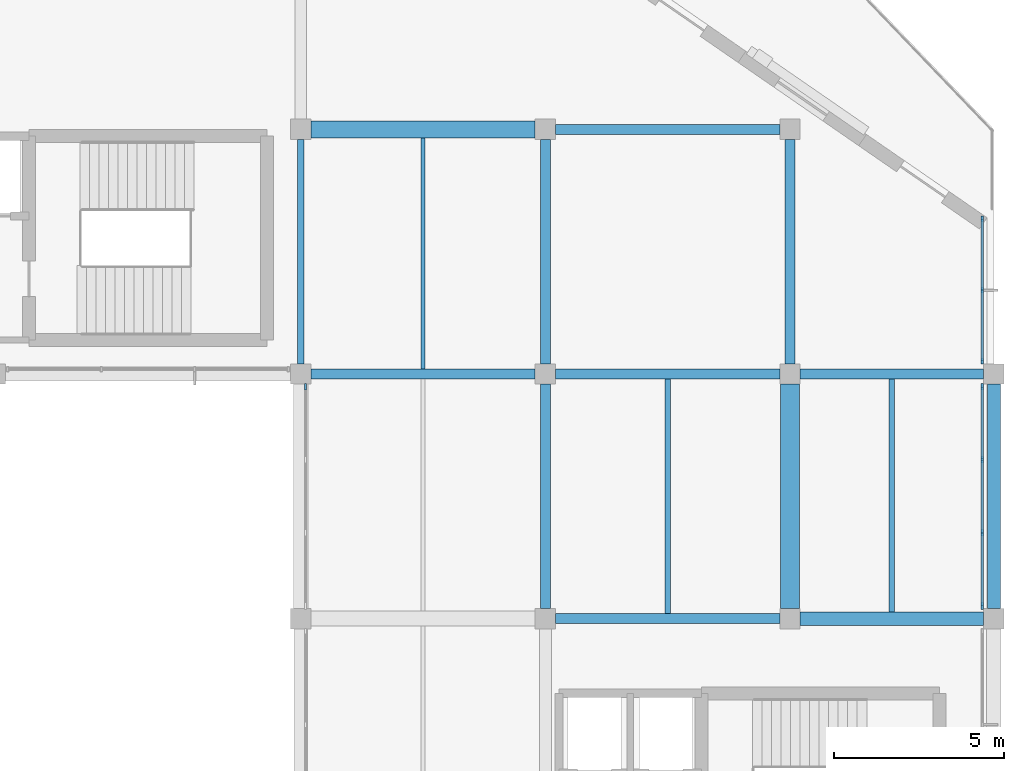
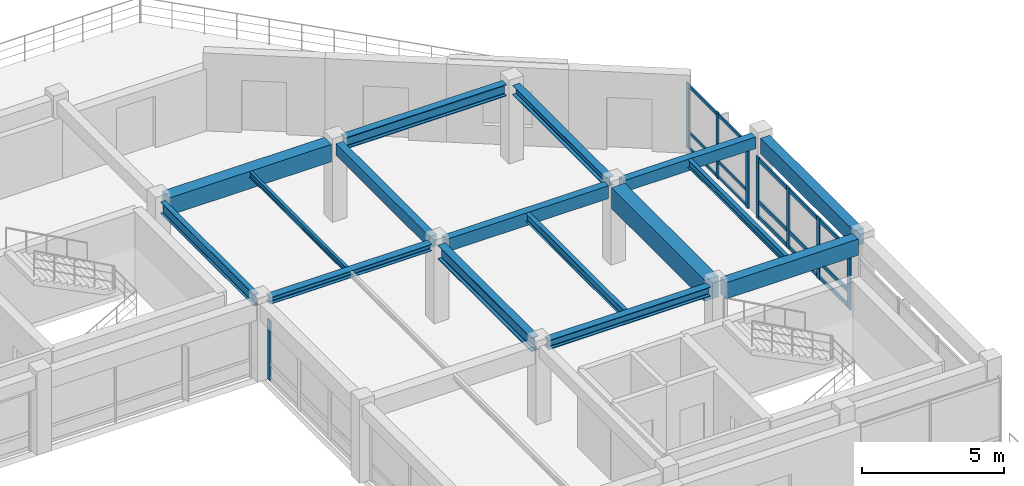
# One storey, part 5 of 12: 23 members, 16 beams, 3 elements without a shape of their own.
"""IFC4 building model written with IfcOpenShell, lengths in metres."""

from ifc_helpers import new_model, si_unit, direction, frame, origin, origin_2d, place, context, subcontext, project, spatial, rectangle, i_section, extrude, material, material_profile, profile_set, type_object, element, aggregate, save


model = new_model("IFC4")

# Units and contexts
model_context = context("Model", 3, precision=1e-05, world=origin(), true_north=direction((0.0, 1.0)))
body_context = subcontext(model_context, "Body", "Model", "MODEL_VIEW")
ifc_project = project(units=[si_unit("LENGTHUNIT", "METRE"), si_unit("AREAUNIT", "SQUARE_METRE"), si_unit("VOLUMEUNIT", "CUBIC_METRE"), si_unit("PLANEANGLEUNIT", "RADIAN"), si_unit("MASSUNIT", "GRAM", prefix="KILO")], contexts=[model_context])

# Site, building, storey
site_placement = place(None, origin())
site = spatial("IfcSite", under=ifc_project, at=site_placement, CompositionType="ELEMENT")
building_placement = place(site_placement, origin())
building = spatial("IfcBuilding", under=site, at=building_placement, Name="Clarverna Civic Hall", CompositionType="ELEMENT")
storey_placement = place(building_placement, frame((0.0, 0.0, 24.0)))
storey = spatial("IfcBuildingStorey", under=building, at=storey_placement, Name="L06", CompositionType="ELEMENT", Elevation=24.0)

# Beams
ifc_material_1 = material(Name="Concrete C35/45", Category="concrete")
ifc_material_profile_1 = material_profile(ifc_material_1, rectangle(XDim=0.300048828125, YDim=0.550048828125, at=origin_2d()), Name="RC 300x550")
ifc_profile_set_1 = profile_set([ifc_material_profile_1], Name="Concrete C35/45")
beam_type_1 = type_object("IfcBeamType", Name="B-RC11", PredefinedType="BEAM", material=ifc_profile_set_1)
beam_1_placement = place(storey_placement, frame((155.10009765625, 95.0, 3.06494140625), z_axis=(1.0, 0.0, 0.0), x_axis=(0.0, 1.0, 0.0)))
element("IfcBeam", 1, at=beam_1_placement, inside=storey, type_object=beam_type_1, Name="B-RC11-036", PredefinedType="BEAM", context=body_context, shape_type="SweptSolid", body=[
    extrude(rectangle(XDim=0.300048828125, YDim=0.550048828125, at=origin_2d()), origin(), (0.0, 0.0, 1.0), 6.599853515625),
])
ifc_material_profile_2 = material_profile(ifc_material_1, rectangle(XDim=0.300048828125, YDim=0.5, at=origin_2d()), Name="RC 300x500")
ifc_profile_set_2 = profile_set([ifc_material_profile_2], Name="Concrete C35/45")
beam_type_2 = type_object("IfcBeamType", Name="B-RC12", PredefinedType="BEAM", material=ifc_profile_set_2)
beam_2_placement = place(storey_placement, frame((162.300048828125, 95.0, 3.090087890625), z_axis=(1.0, 0.0, 0.0), x_axis=(0.0, 1.0, 0.0)))
element("IfcBeam", 2, at=beam_2_placement, inside=storey, type_object=beam_type_2, Name="B-RC12-053", PredefinedType="BEAM", context=body_context, shape_type="SweptSolid", body=[
    extrude(rectangle(XDim=0.300048828125, YDim=0.5, at=origin_2d()), origin(), (0.0, 0.0, 1.0), 5.39990234375),
])
beam_3_placement = place(storey_placement, frame((154.800048828125, 95.300048828125, 3.090087890625), z_axis=(0.0, 1.0, 0.0), x_axis=(-1.0, 0.0, 0.0)))
element("IfcBeam", 3, at=beam_3_placement, inside=storey, type_object=beam_type_2, Name="B-RC12-054", PredefinedType="BEAM", context=body_context, shape_type="SweptSolid", body=[
    extrude(rectangle(XDim=0.300048828125, YDim=0.5, at=origin_2d()), origin(), (0.0, 0.0, 1.0), 6.599853515625),
])
ifc_material_profile_3 = material_profile(ifc_material_1, rectangle(XDim=0.550048828125, YDim=0.89990234375, at=origin_2d()), Name="RC 550x900")
ifc_profile_set_3 = profile_set([ifc_material_profile_3], Name="Concrete C35/45")
beam_type_3 = type_object("IfcBeamType", Name="B-RC13", PredefinedType="BEAM", material=ifc_profile_set_3)
beam_4_placement = place(storey_placement, frame((162.0, 88.10009765625, 2.889892578125), z_axis=(0.0, 1.0, 0.0), x_axis=(-1.0, 0.0, 0.0)))
element("IfcBeam", 4, at=beam_4_placement, inside=storey, type_object=beam_type_3, Name="B-RC13-035", PredefinedType="BEAM", context=body_context, shape_type="SweptSolid", body=[
    extrude(rectangle(XDim=0.550048828125, YDim=0.89990234375, at=origin_2d()), origin(), (0.0, 0.0, 1.0), 6.599853515625),
])
ifc_material_profile_4 = material_profile(ifc_material_1, rectangle(XDim=0.5, YDim=0.75, at=origin_2d()), Name="RC 500x750")
ifc_profile_set_4 = profile_set([ifc_material_profile_4], Name="Concrete C35/45")
beam_type_4 = type_object("IfcBeamType", Name="B-RC15", PredefinedType="BEAM", material=ifc_profile_set_4)
beam_5_placement = place(storey_placement, frame((147.89990234375, 102.199951171875, 2.965087890625), z_axis=(1.0, 0.0, 0.0), x_axis=(0.0, 1.0, 0.0)))
element("IfcBeam", 5, at=beam_5_placement, inside=storey, type_object=beam_type_4, Name="B-RC15-052", PredefinedType="BEAM", context=body_context, shape_type="SweptSolid", body=[
    extrude(rectangle(XDim=0.5, YDim=0.75, at=origin_2d()), origin(), (0.0, 0.0, 1.0), 6.60009765625),
])
ifc_material_profile_5 = material_profile(ifc_material_1, rectangle(XDim=0.39990234375, YDim=0.699951171875, at=origin_2d()), Name="RC 400x700")
ifc_profile_set_5 = profile_set([ifc_material_profile_5], Name="Concrete C35/45")
beam_type_5 = type_object("IfcBeamType", Name="B-RC5", PredefinedType="BEAM", material=ifc_profile_set_5)
beam_6_placement = place(storey_placement, frame((162.300048828125, 87.800048828125, 2.989990234375), z_axis=(1.0, 0.0, 0.0), x_axis=(0.0, 1.0, 0.0)))
element("IfcBeam", 6, at=beam_6_placement, inside=storey, type_object=beam_type_5, Name="B-RC5-037", PredefinedType="BEAM", context=body_context, shape_type="SweptSolid", body=[
    extrude(rectangle(XDim=0.39990234375, YDim=0.699951171875, at=origin_2d()), origin(), (0.0, 0.0, 1.0), 5.39990234375),
])
ifc_material_profile_6 = material_profile(ifc_material_1, rectangle(XDim=0.3798828125, YDim=0.679931640625, at=origin_2d()), Name="RC 380x680")
ifc_profile_set_6 = profile_set([ifc_material_profile_6], Name="Concrete C35/45")
beam_type_6 = type_object("IfcBeamType", Name="B-SP2", PredefinedType="SPANDREL", material=ifc_profile_set_6)
beam_7_placement = place(storey_placement, frame((168.0, 88.10009765625, 3.0), z_axis=(0.0, 1.0, 0.0), x_axis=(-1.0, 0.0, 0.0)))
element("IfcBeam", 7, at=beam_7_placement, inside=storey, type_object=beam_type_6, Name="B-SP2-160", PredefinedType="SPANDREL", context=body_context, shape_type="SweptSolid", body=[
    extrude(rectangle(XDim=0.3798828125, YDim=0.679931640625, at=origin_2d()), origin(), (0.0, 0.0, 1.0), 6.599853515625),
])
ifc_material_2 = material(Name="Steel S355", Category="steel")
ifc_material_profile_7 = material_profile(ifc_material_2, i_section(OverallWidth=0.300048828125, OverallDepth=0.60009765625, WebThickness=0.015380859375, FlangeThickness=0.030029296875, FilletRadius=0.027099609375, at=origin_2d()), Name="HEB 600")
ifc_profile_set_7 = profile_set([ifc_material_profile_7], Name="Steel S355")
beam_type_7 = type_object("IfcBeamType", Name="B-ST1", PredefinedType="BEAM", material=ifc_profile_set_7)
beam_8_placement = place(storey_placement, frame((154.800048828125, 88.10009765625, 3.0400390625), z_axis=(0.0, 1.0, 0.0), x_axis=(-1.0, 0.0, 0.0)))
element("IfcBeam", 8, at=beam_8_placement, inside=storey, type_object=beam_type_7, Name="B-ST1-023", PredefinedType="BEAM", context=body_context, shape_type="SweptSolid", body=[
    extrude(i_section(OverallWidth=0.300048828125, OverallDepth=0.60009765625, WebThickness=0.015380859375, FlangeThickness=0.030029296875, FilletRadius=0.027099609375, at=origin_2d()), origin(), (0.0, 0.0, 1.0), 6.599853515625),
])
ifc_material_profile_8 = material_profile(ifc_material_2, i_section(OverallWidth=0.300048828125, OverallDepth=0.2900390625, WebThickness=0.008544921875, FlangeThickness=0.013916015625, FilletRadius=0.027099609375, at=origin_2d()), Name="HEA 300")
ifc_profile_set_8 = profile_set([ifc_material_profile_8], Name="Steel S355")
beam_type_8 = type_object("IfcBeamType", Name="B-ST10", PredefinedType="BEAM", material=ifc_profile_set_8)
beam_9_placement = place(storey_placement, frame((147.89990234375, 95.0, 3.195068359375), z_axis=(1.0, 0.0, 0.0), x_axis=(0.0, 1.0, 0.0)))
element("IfcBeam", 9, at=beam_9_placement, inside=storey, type_object=beam_type_8, Name="B-ST10-017", PredefinedType="BEAM", context=body_context, shape_type="SweptSolid", body=[
    extrude(i_section(OverallWidth=0.300048828125, OverallDepth=0.2900390625, WebThickness=0.008544921875, FlangeThickness=0.013916015625, FilletRadius=0.027099609375, at=origin_2d()), origin(), (0.0, 0.0, 1.0), 6.60009765625),
])
ifc_material_profile_9 = material_profile(ifc_material_2, i_section(OverallWidth=0.199951171875, OverallDepth=0.5, WebThickness=0.01025390625, FlangeThickness=0.01611328125, FilletRadius=0.02099609375, at=origin_2d()), Name="IPE 500")
ifc_profile_set_9 = profile_set([ifc_material_profile_9], Name="Steel S355")
beam_type_9 = type_object("IfcBeamType", Name="B-ST12", PredefinedType="BEAM", material=ifc_profile_set_9)
beam_10_placement = place(storey_placement, frame((147.60009765625, 95.300048828125, 3.090087890625), z_axis=(0.0, 1.0, 0.0), x_axis=(-1.0, 0.0, 0.0)))
element("IfcBeam", 10, at=beam_10_placement, inside=storey, type_object=beam_type_9, Name="B-ST12-022", PredefinedType="BEAM", context=body_context, shape_type="SweptSolid", body=[
    extrude(i_section(OverallWidth=0.199951171875, OverallDepth=0.5, WebThickness=0.01025390625, FlangeThickness=0.01611328125, FilletRadius=0.02099609375, at=origin_2d()), origin(), (0.0, 0.0, 1.0), 6.599853515625),
])
ifc_material_profile_10 = material_profile(ifc_material_2, i_section(OverallWidth=0.300048828125, OverallDepth=0.5, WebThickness=0.014404296875, FlangeThickness=0.028076171875, FilletRadius=0.027099609375, at=origin_2d()), Name="HEB 500")
ifc_profile_set_10 = profile_set([ifc_material_profile_10], Name="Steel S355")
beam_type_10 = type_object("IfcBeamType", Name="B-ST2", PredefinedType="BEAM", material=ifc_profile_set_10)
beam_11_placement = place(storey_placement, frame((155.10009765625, 102.199951171875, 3.090087890625), z_axis=(1.0, 0.0, 0.0), x_axis=(0.0, 1.0, 0.0)))
element("IfcBeam", 11, at=beam_11_placement, inside=storey, type_object=beam_type_10, Name="B-ST2-021", PredefinedType="BEAM", context=body_context, shape_type="SweptSolid", body=[
    extrude(i_section(OverallWidth=0.300048828125, OverallDepth=0.5, WebThickness=0.014404296875, FlangeThickness=0.028076171875, FilletRadius=0.027099609375, at=origin_2d()), origin(), (0.0, 0.0, 1.0), 6.599853515625),
])
ifc_material_profile_11 = material_profile(ifc_material_2, i_section(OverallWidth=0.300048828125, OverallDepth=0.39990234375, WebThickness=0.013427734375, FlangeThickness=0.02392578125, FilletRadius=0.027099609375, at=origin_2d()), Name="HEB 400")
ifc_profile_set_11 = profile_set([ifc_material_profile_11], Name="Steel S355")
beam_type_11 = type_object("IfcBeamType", Name="B-ST4", PredefinedType="BEAM", material=ifc_profile_set_11)
for number, where, z_axis, x_axis, name in (
    (12, (155.10009765625, 87.800048828125, 3.139892578125), (1.0, 0.0, 0.0), (0.0, 1.0, 0.0), "B-ST4-020"),
    (13, (162.0, 95.300048828125, 3.139892578125), (0.0, 1.0, 0.0), (-1.0, 0.0, 0.0), "B-ST4-021"),
):
    element("IfcBeam", number, at=place(storey_placement, frame(where, z_axis=z_axis, x_axis=x_axis)), inside=storey, type_object=beam_type_11, Name=name, PredefinedType="BEAM", context=body_context, shape_type="SweptSolid", body=[
        extrude(i_section(OverallWidth=0.300048828125, OverallDepth=0.39990234375, WebThickness=0.013427734375, FlangeThickness=0.02392578125, FilletRadius=0.027099609375, at=origin_2d()), origin(), (0.0, 0.0, 1.0), 6.599853515625),
    ])

# Curtain wall, members
ifc_material_3 = material(Name="Anodised Bronze Architectural Aluminium", Category="aluminium")
curtain_wall_type = type_object("IfcCurtainWallType", Name="CW-01", PredefinedType="USERDEFINED", material=ifc_material_3)
curtain_wall_1_placement = place(storey_placement, origin())
curtain_wall_1 = element("IfcCurtainWall", 14, at=curtain_wall_1_placement, inside=storey, type_object=curtain_wall_type, Name="CW-01-116", ObjectType="UNITISED CURTAIN WALL", PredefinedType="USERDEFINED")
ifc_material_profile_12 = material_profile(ifc_material_3, rectangle(XDim=0.06005859375, YDim=0.159912109375, at=origin_2d()), Name="BRONZE 60x160")
ifc_profile_set_12 = profile_set([ifc_material_profile_12], Name="Anodised Bronze Architectural Aluminium")
member_type_1 = type_object("IfcMemberType", Name="CWM-02", PredefinedType="MULLION", material=ifc_profile_set_12)
member_1_placement = place(storey_placement, frame((167.659912109375, 99.56689453125, 0.0), z_axis=(0.0, 0.0, 1.0), x_axis=(1.0, 0.0, 0.0)))
member_1 = element("IfcMember", 15, at=member_1_placement, type_object=member_type_1, Name="CWM-02-230", PredefinedType="MULLION", context=body_context, shape_type="SweptSolid", body=[
    extrude(rectangle(XDim=0.06005859375, YDim=0.159912109375, at=origin_2d()), origin(), (0.0, 0.0, 1.0), 2.840087890625),
])
member_2_placement = place(storey_placement, frame((167.659912109375, 97.469970703125, 0.0), z_axis=(0.0, 0.0, 1.0), x_axis=(1.0, 0.0, 0.0)))
member_2 = element("IfcMember", 16, at=member_2_placement, type_object=member_type_1, Name="CWM-02-231", PredefinedType="MULLION", context=body_context, shape_type="SweptSolid", body=[
    extrude(rectangle(XDim=0.06005859375, YDim=0.159912109375, at=origin_2d()), origin(), (0.0, 0.0, 1.0), 2.840087890625),
])
member_3_placement = place(storey_placement, frame((167.659912109375, 95.373046875, 0.0), z_axis=(0.0, 0.0, 1.0), x_axis=(1.0, 0.0, 0.0)))
member_3 = element("IfcMember", 17, at=member_3_placement, type_object=member_type_1, Name="CWM-02-232", PredefinedType="MULLION", context=body_context, shape_type="SweptSolid", body=[
    extrude(rectangle(XDim=0.06005859375, YDim=0.159912109375, at=origin_2d()), origin(), (0.0, 0.0, 1.0), 2.840087890625),
])

curtain_wall_2_placement = place(storey_placement, origin())
curtain_wall_2 = element("IfcCurtainWall", 18, at=curtain_wall_2_placement, inside=storey, type_object=curtain_wall_type, Name="CW-01-117", ObjectType="UNITISED CURTAIN WALL", PredefinedType="USERDEFINED")
ifc_material_profile_13 = material_profile(ifc_material_3, rectangle(XDim=0.06494140625, YDim=0.199951171875, at=origin_2d()), Name="BRONZE 65x200")
ifc_profile_set_13 = profile_set([ifc_material_profile_13], Name="Anodised Bronze Architectural Aluminium")
member_type_2 = type_object("IfcMemberType", Name="CWM-03", PredefinedType="MULLION", material=ifc_profile_set_13)
member_4_placement = place(storey_placement, frame((167.659912109375, 94.626953125, 0.0), z_axis=(0.0, 0.0, 1.0), x_axis=(1.0, 0.0, 0.0)))
member_4 = element("IfcMember", 19, at=member_4_placement, type_object=member_type_2, Name="CWM-03-217", PredefinedType="MULLION", context=body_context, shape_type="SweptSolid", body=[
    extrude(rectangle(XDim=0.06494140625, YDim=0.199951171875, at=origin_2d()), origin(), (0.0, 0.0, 1.0), 2.639892578125),
])
member_5_placement = place(storey_placement, frame((167.659912109375, 92.4755859375, 0.0), z_axis=(0.0, 0.0, 1.0), x_axis=(1.0, 0.0, 0.0)))
member_5 = element("IfcMember", 20, at=member_5_placement, type_object=member_type_2, Name="CWM-03-218", PredefinedType="MULLION", context=body_context, shape_type="SweptSolid", body=[
    extrude(rectangle(XDim=0.06494140625, YDim=0.199951171875, at=origin_2d()), origin(), (0.0, 0.0, 1.0), 2.639892578125),
])
member_6_placement = place(storey_placement, frame((167.659912109375, 90.32421875, 0.0), z_axis=(0.0, 0.0, 1.0), x_axis=(1.0, 0.0, 0.0)))
member_6 = element("IfcMember", 21, at=member_6_placement, type_object=member_type_2, Name="CWM-03-219", PredefinedType="MULLION", context=body_context, shape_type="SweptSolid", body=[
    extrude(rectangle(XDim=0.06494140625, YDim=0.199951171875, at=origin_2d()), origin(), (0.0, 0.0, 1.0), 2.639892578125),
])
member_7_placement = place(storey_placement, frame((167.659912109375, 88.173095703125, 0.0), z_axis=(0.0, 0.0, 1.0), x_axis=(1.0, 0.0, 0.0)))
member_7 = element("IfcMember", 22, at=member_7_placement, type_object=member_type_2, Name="CWM-03-220", PredefinedType="MULLION", context=body_context, shape_type="SweptSolid", body=[
    extrude(rectangle(XDim=0.06494140625, YDim=0.199951171875, at=origin_2d()), origin(), (0.0, 0.0, 1.0), 2.639892578125),
])

# Curtain wall, member
curtain_wall_3_placement = place(storey_placement, origin())
curtain_wall_3 = element("IfcCurtainWall", 23, at=curtain_wall_3_placement, inside=storey, type_object=curtain_wall_type, Name="CW-01-121", ObjectType="UNITISED CURTAIN WALL", PredefinedType="USERDEFINED")
member_8_placement = place(storey_placement, frame((147.739990234375, 94.626953125, 0.0), z_axis=(0.0, 0.0, 1.0), x_axis=(1.0, 0.0, 0.0)))
member_8 = element("IfcMember", 24, at=member_8_placement, type_object=member_type_2, Name="CWM-03-224", PredefinedType="MULLION", context=body_context, shape_type="SweptSolid", body=[
    extrude(rectangle(XDim=0.06494140625, YDim=0.199951171875, at=origin_2d()), origin(), (0.0, 0.0, 1.0), 2.590087890625),
])
aggregate(curtain_wall_3, [member_8])

# Member
ifc_material_profile_14 = material_profile(ifc_material_3, rectangle(XDim=0.06005859375, YDim=0.1298828125, at=origin_2d()), Name="BRONZE 60x130")
ifc_profile_set_14 = profile_set([ifc_material_profile_14], Name="Anodised Bronze Architectural Aluminium")
member_type_3 = type_object("IfcMemberType", Name="CWT-02", PredefinedType="USERDEFINED", material=ifc_profile_set_14)
member_9_placement = place(storey_placement, frame((167.659912109375, 99.552001953125, 0.094970703125), z_axis=(0.0, -1.0, 0.0), x_axis=(1.0, 0.0, 0.0)))
member_9 = element("IfcMember", 25, at=member_9_placement, type_object=member_type_3, Name="CWT-02-490", ObjectType="TRANSOM", PredefinedType="USERDEFINED", context=body_context, shape_type="SweptSolid", body=[
    extrude(rectangle(XDim=0.06005859375, YDim=0.1298828125, at=origin_2d()), origin(), (0.0, 0.0, 1.0), 2.06689453125),
])

member_10_placement = place(storey_placement, frame((167.659912109375, 99.552001953125, 0.75), z_axis=(0.0, -1.0, 0.0), x_axis=(1.0, 0.0, 0.0)))
member_10 = element("IfcMember", 26, at=member_10_placement, type_object=member_type_3, Name="CWT-02-491", ObjectType="TRANSOM", PredefinedType="USERDEFINED", context=body_context, shape_type="SweptSolid", body=[
    extrude(rectangle(XDim=0.06005859375, YDim=0.1298828125, at=origin_2d()), origin(), (0.0, 0.0, 1.0), 2.06689453125),
])

member_11_placement = place(storey_placement, frame((167.659912109375, 99.552001953125, 2.7451171875), z_axis=(0.0, -1.0, 0.0), x_axis=(1.0, 0.0, 0.0)))
member_11 = element("IfcMember", 27, at=member_11_placement, type_object=member_type_3, Name="CWT-02-492", ObjectType="TRANSOM", PredefinedType="USERDEFINED", context=body_context, shape_type="SweptSolid", body=[
    extrude(rectangle(XDim=0.06005859375, YDim=0.1298828125, at=origin_2d()), origin(), (0.0, 0.0, 1.0), 2.06689453125),
])

member_12_placement = place(storey_placement, frame((167.659912109375, 97.455078125, 0.094970703125), z_axis=(0.0, -1.0, 0.0), x_axis=(1.0, 0.0, 0.0)))
member_12 = element("IfcMember", 28, at=member_12_placement, type_object=member_type_3, Name="CWT-02-493", ObjectType="TRANSOM", PredefinedType="USERDEFINED", context=body_context, shape_type="SweptSolid", body=[
    extrude(rectangle(XDim=0.06005859375, YDim=0.1298828125, at=origin_2d()), origin(), (0.0, 0.0, 1.0), 2.067138671875),
])

member_13_placement = place(storey_placement, frame((167.659912109375, 97.455078125, 0.75), z_axis=(0.0, -1.0, 0.0), x_axis=(1.0, 0.0, 0.0)))
member_13 = element("IfcMember", 29, at=member_13_placement, type_object=member_type_3, Name="CWT-02-494", ObjectType="TRANSOM", PredefinedType="USERDEFINED", context=body_context, shape_type="SweptSolid", body=[
    extrude(rectangle(XDim=0.06005859375, YDim=0.1298828125, at=origin_2d()), origin(), (0.0, 0.0, 1.0), 2.067138671875),
])

member_14_placement = place(storey_placement, frame((167.659912109375, 97.455078125, 2.7451171875), z_axis=(0.0, -1.0, 0.0), x_axis=(1.0, 0.0, 0.0)))
member_14 = element("IfcMember", 30, at=member_14_placement, type_object=member_type_3, Name="CWT-02-495", ObjectType="TRANSOM", PredefinedType="USERDEFINED", context=body_context, shape_type="SweptSolid", body=[
    extrude(rectangle(XDim=0.06005859375, YDim=0.1298828125, at=origin_2d()), origin(), (0.0, 0.0, 1.0), 2.067138671875),
])

aggregate(curtain_wall_1, [member_1, member_2, member_3, member_9, member_10, member_11, member_12, member_13, member_14])

ifc_material_profile_15 = material_profile(ifc_material_3, rectangle(XDim=0.06494140625, YDim=0.169921875, at=origin_2d()), Name="BRONZE 65x170")
ifc_profile_set_15 = profile_set([ifc_material_profile_15], Name="Anodised Bronze Architectural Aluminium")
member_type_4 = type_object("IfcMemberType", Name="CWT-03", PredefinedType="USERDEFINED", material=ifc_profile_set_15)
member_15_placement = place(storey_placement, frame((167.659912109375, 94.612060546875, 0.094970703125), z_axis=(0.0, -1.0, 0.0), x_axis=(1.0, 0.0, 0.0)))
member_15 = element("IfcMember", 31, at=member_15_placement, type_object=member_type_4, Name="CWT-03-460", ObjectType="TRANSOM", PredefinedType="USERDEFINED", context=body_context, shape_type="SweptSolid", body=[
    extrude(rectangle(XDim=0.06494140625, YDim=0.169921875, at=origin_2d()), origin(), (0.0, 0.0, 1.0), 2.121337890625),
])

member_16_placement = place(storey_placement, frame((167.659912109375, 94.612060546875, 0.75), z_axis=(0.0, -1.0, 0.0), x_axis=(1.0, 0.0, 0.0)))
member_16 = element("IfcMember", 32, at=member_16_placement, type_object=member_type_4, Name="CWT-03-461", ObjectType="TRANSOM", PredefinedType="USERDEFINED", context=body_context, shape_type="SweptSolid", body=[
    extrude(rectangle(XDim=0.06494140625, YDim=0.169921875, at=origin_2d()), origin(), (0.0, 0.0, 1.0), 2.121337890625),
])

member_17_placement = place(storey_placement, frame((167.659912109375, 94.612060546875, 2.544921875), z_axis=(0.0, -1.0, 0.0), x_axis=(1.0, 0.0, 0.0)))
member_17 = element("IfcMember", 33, at=member_17_placement, type_object=member_type_4, Name="CWT-03-462", ObjectType="TRANSOM", PredefinedType="USERDEFINED", context=body_context, shape_type="SweptSolid", body=[
    extrude(rectangle(XDim=0.06494140625, YDim=0.169921875, at=origin_2d()), origin(), (0.0, 0.0, 1.0), 2.121337890625),
])

member_18_placement = place(storey_placement, frame((167.659912109375, 92.460693359375, 0.094970703125), z_axis=(0.0, -1.0, 0.0), x_axis=(1.0, 0.0, 0.0)))
member_18 = element("IfcMember", 34, at=member_18_placement, type_object=member_type_4, Name="CWT-03-463", ObjectType="TRANSOM", PredefinedType="USERDEFINED", context=body_context, shape_type="SweptSolid", body=[
    extrude(rectangle(XDim=0.06494140625, YDim=0.169921875, at=origin_2d()), origin(), (0.0, 0.0, 1.0), 2.121337890625),
])

member_19_placement = place(storey_placement, frame((167.659912109375, 92.460693359375, 0.75), z_axis=(0.0, -1.0, 0.0), x_axis=(1.0, 0.0, 0.0)))
member_19 = element("IfcMember", 35, at=member_19_placement, type_object=member_type_4, Name="CWT-03-464", ObjectType="TRANSOM", PredefinedType="USERDEFINED", context=body_context, shape_type="SweptSolid", body=[
    extrude(rectangle(XDim=0.06494140625, YDim=0.169921875, at=origin_2d()), origin(), (0.0, 0.0, 1.0), 2.121337890625),
])

member_20_placement = place(storey_placement, frame((167.659912109375, 92.460693359375, 2.544921875), z_axis=(0.0, -1.0, 0.0), x_axis=(1.0, 0.0, 0.0)))
member_20 = element("IfcMember", 36, at=member_20_placement, type_object=member_type_4, Name="CWT-03-465", ObjectType="TRANSOM", PredefinedType="USERDEFINED", context=body_context, shape_type="SweptSolid", body=[
    extrude(rectangle(XDim=0.06494140625, YDim=0.169921875, at=origin_2d()), origin(), (0.0, 0.0, 1.0), 2.121337890625),
])

member_21_placement = place(storey_placement, frame((167.659912109375, 90.309326171875, 0.094970703125), z_axis=(0.0, -1.0, 0.0), x_axis=(1.0, 0.0, 0.0)))
member_21 = element("IfcMember", 37, at=member_21_placement, type_object=member_type_4, Name="CWT-03-466", ObjectType="TRANSOM", PredefinedType="USERDEFINED", context=body_context, shape_type="SweptSolid", body=[
    extrude(rectangle(XDim=0.06494140625, YDim=0.169921875, at=origin_2d()), origin(), (0.0, 0.0, 1.0), 2.121337890625),
])

member_22_placement = place(storey_placement, frame((167.659912109375, 90.309326171875, 0.75), z_axis=(0.0, -1.0, 0.0), x_axis=(1.0, 0.0, 0.0)))
member_22 = element("IfcMember", 38, at=member_22_placement, type_object=member_type_4, Name="CWT-03-467", ObjectType="TRANSOM", PredefinedType="USERDEFINED", context=body_context, shape_type="SweptSolid", body=[
    extrude(rectangle(XDim=0.06494140625, YDim=0.169921875, at=origin_2d()), origin(), (0.0, 0.0, 1.0), 2.121337890625),
])

member_23_placement = place(storey_placement, frame((167.659912109375, 90.309326171875, 2.544921875), z_axis=(0.0, -1.0, 0.0), x_axis=(1.0, 0.0, 0.0)))
member_23 = element("IfcMember", 39, at=member_23_placement, type_object=member_type_4, Name="CWT-03-468", ObjectType="TRANSOM", PredefinedType="USERDEFINED", context=body_context, shape_type="SweptSolid", body=[
    extrude(rectangle(XDim=0.06494140625, YDim=0.169921875, at=origin_2d()), origin(), (0.0, 0.0, 1.0), 2.121337890625),
])

aggregate(curtain_wall_2, [member_4, member_5, member_6, member_7, member_15, member_16, member_17, member_18, member_19, member_20, member_21, member_22, member_23])

# Beams
ifc_material_profile_16 = material_profile(ifc_material_2, i_section(OverallWidth=0.169921875, OverallDepth=0.360107421875, WebThickness=0.008056640625, FlangeThickness=0.0126953125, FilletRadius=0.01806640625, at=origin_2d()), Name="IPE 360")
ifc_profile_set_16 = profile_set([ifc_material_profile_16], Name="Steel S355")
beam_type_12 = type_object("IfcBeamType", Name="J-ST1", PredefinedType="JOIST", material=ifc_profile_set_16)
beam_12_placement = place(storey_placement, frame((158.39990234375, 87.949951171875, 3.159912109375), z_axis=(0.0, 1.0, 0.0), x_axis=(-1.0, 0.0, 0.0)))
element("IfcBeam", 40, at=beam_12_placement, inside=storey, type_object=beam_type_12, Name="J-ST1-072", PredefinedType="JOIST", context=body_context, shape_type="SweptSolid", body=[
    extrude(i_section(OverallWidth=0.169921875, OverallDepth=0.360107421875, WebThickness=0.008056640625, FlangeThickness=0.0126953125, FilletRadius=0.01806640625, at=origin_2d()), origin(), (0.0, 0.0, 1.0), 6.900146484375),
])
ifc_material_profile_17 = material_profile(ifc_material_2, i_section(OverallWidth=0.159912109375, OverallDepth=0.330078125, WebThickness=0.007568359375, FlangeThickness=0.011474609375, FilletRadius=0.01806640625, at=origin_2d()), Name="IPE 330")
ifc_profile_set_17 = profile_set([ifc_material_profile_17], Name="Steel S355")
beam_type_13 = type_object("IfcBeamType", Name="J-ST2", PredefinedType="JOIST", material=ifc_profile_set_17)
beam_13_placement = place(storey_placement, frame((165.0, 88.0, 3.175048828125), z_axis=(0.0, 1.0, 0.0), x_axis=(-1.0, 0.0, 0.0)))
element("IfcBeam", 41, at=beam_13_placement, inside=storey, type_object=beam_type_13, Name="J-ST2-073", PredefinedType="JOIST", context=body_context, shape_type="SweptSolid", body=[
    extrude(i_section(OverallWidth=0.159912109375, OverallDepth=0.330078125, WebThickness=0.007568359375, FlangeThickness=0.011474609375, FilletRadius=0.01806640625, at=origin_2d()), origin(), (0.0, 0.0, 1.0), 6.85009765625),
])
ifc_material_profile_18 = material_profile(ifc_material_2, i_section(OverallWidth=0.1201171875, OverallDepth=0.239990234375, WebThickness=0.006103515625, FlangeThickness=0.009765625, FilletRadius=0.014892578125, at=origin_2d()), Name="IPE 240")
ifc_profile_set_18 = profile_set([ifc_material_profile_18], Name="Steel S355")
beam_type_14 = type_object("IfcBeamType", Name="J-ST5", PredefinedType="JOIST", material=ifc_profile_set_18)
beam_14_placement = place(storey_placement, frame((151.199951171875, 95.14990234375, 3.219970703125), z_axis=(0.0, 1.0, 0.0), x_axis=(-1.0, 0.0, 0.0)))
element("IfcBeam", 42, at=beam_14_placement, inside=storey, type_object=beam_type_14, Name="J-ST5-074", PredefinedType="JOIST", context=body_context, shape_type="SweptSolid", body=[
    extrude(i_section(OverallWidth=0.1201171875, OverallDepth=0.239990234375, WebThickness=0.006103515625, FlangeThickness=0.009765625, FilletRadius=0.014892578125, at=origin_2d()), origin(), (0.0, 0.0, 1.0), 6.800048828125),
])

save(model, "model.ifc")
